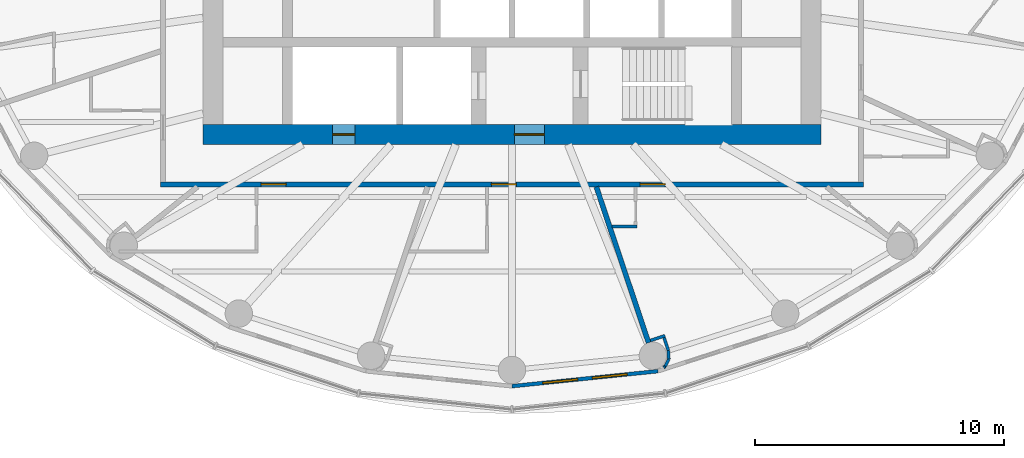
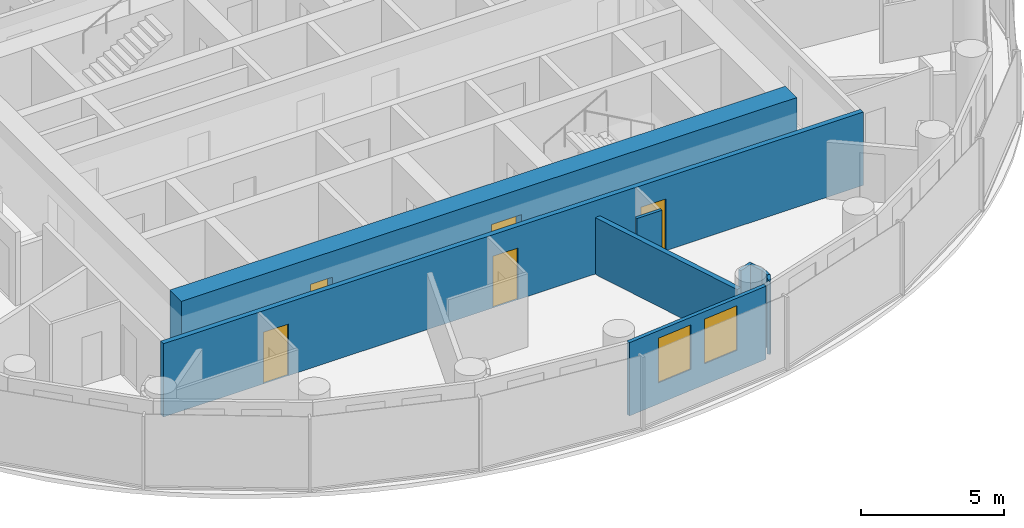
# One storey, part 7 of 16: 10 walls, 5 doors, 2 windows, 7 openings.
"""IFC4 building model written with IfcOpenShell, lengths in metres."""

from ifc_helpers import new_model, si_unit, direction, frame, frame_2d, origin, place, context, subcontext, project, spatial, rectangle, extrude, material, layer, layer_set, type_object, element, fill, save


model = new_model("IFC4")

# Units and contexts
model_context = context("Model", 3, precision=1e-05, world=origin(), true_north=direction((0.0, 1.0)))
body_context = subcontext(model_context, "Body", "Model", "MODEL_VIEW")
ifc_project = project(units=[si_unit("LENGTHUNIT", "METRE"), si_unit("AREAUNIT", "SQUARE_METRE"), si_unit("VOLUMEUNIT", "CUBIC_METRE"), si_unit("PLANEANGLEUNIT", "RADIAN"), si_unit("MASSUNIT", "GRAM", prefix="KILO")], contexts=[model_context])

# Site, building, storey
site_placement = place(None, origin())
site = spatial("IfcSite", under=ifc_project, at=site_placement, CompositionType="ELEMENT")
building_placement = place(site_placement, origin())
building = spatial("IfcBuilding", under=site, at=building_placement, Name="Hankou Lantern Tower", CompositionType="ELEMENT")
storey_placement = place(building_placement, frame((0.0, 0.0, 166.5)))
storey = spatial("IfcBuildingStorey", under=building, at=storey_placement, Name="L44", CompositionType="ELEMENT", Elevation=166.5)

# Wall, openings, doors
ifc_material_1 = material(Name="Concrete C60", Category="concrete")
ifc_layer_1 = layer(ifc_material_1, 0.800048828125)
ifc_layer_set_1 = layer_set([ifc_layer_1], Name="Concrete C60")
wall_type_1 = type_object("IfcWallType", Name="CW2 CORE WALL 800", PredefinedType="SHEAR", material=ifc_layer_set_1)
wall_1_placement = place(storey_placement, frame((12.39990234375, -8.0, 0.0), z_axis=(0.0, 0.0, 1.0), x_axis=(-1.0, 0.0, 0.0)))
wall_1 = element("IfcWall", 1, at=wall_1_placement, inside=storey, type_object=wall_type_1, Name="Core wall south L44", PredefinedType="SHEAR", context=body_context, shape_type="SweptSolid", body=[
    extrude(rectangle(XDim=24.7998046875, YDim=0.800048828125, at=frame_2d((12.39990234375, 0.0))), origin(), (0.0, 0.0, 1.0), 3.300048828125),
])
opening_1_placement = place(wall_1_placement, frame((11.10009765625, 0.0, 0.0)))
opening_1 = element("IfcOpeningElement", 2, at=opening_1_placement, cuts=wall_1, Name="Opening D5", PredefinedType="OPENING", context=body_context, shape_type="SweptSolid", body=[
    extrude(rectangle(XDim=1.199951171875, YDim=2.199951171875, at=frame_2d((0.60009765625, 1.10009765625))), frame((0.0, 0.409912109375, 0.0), z_axis=(0.0, -1.0, 0.0), x_axis=(1.0, 0.0, 0.0)), (0.0, 0.0, 1.0), 0.820068359375),
])
opening_2_placement = place(wall_1_placement, frame((18.699951171875, 0.0, 0.0)))
opening_2 = element("IfcOpeningElement", 3, at=opening_2_placement, cuts=wall_1, Name="Opening D7", PredefinedType="OPENING", context=body_context, shape_type="SweptSolid", body=[
    extrude(rectangle(XDim=0.89990234375, YDim=2.199951171875, at=frame_2d((0.449951171875, 1.10009765625))), frame((0.0, 0.409912109375, 0.0), z_axis=(0.0, -1.0, 0.0), x_axis=(1.0, 0.0, 0.0)), (0.0, 0.0, 1.0), 0.820068359375),
])
ifc_material_2 = material(Name="Steel door leaf", Category="steel")
door_type_1 = type_object("IfcDoorType", Name="D5 STAIR LOBBY DOOR 1200X2200", OperationType="SINGLE_SWING_LEFT", PredefinedType="DOOR", material=ifc_material_2)
door_1_placement = place(opening_1_placement, origin())
door_1 = element("IfcDoor", 4, at=door_1_placement, inside=storey, type_object=door_type_1, Name="Stair B lobby door", OperationType="SINGLE_SWING_LEFT", OverallHeight=2.199951171875, OverallWidth=1.199951171875, PredefinedType="DOOR", context=body_context, shape_type="SweptSolid", body=[
    extrude(rectangle(XDim=1.199951171875, YDim=2.199951171875, at=frame_2d((0.60009765625, 1.10009765625))), frame((0.0, 0.02490234375, 0.0), z_axis=(0.0, -1.0, 0.0), x_axis=(1.0, 0.0, 0.0)), (0.0, 0.0, 1.0), 0.050048828125),
])
fill(opening_1, door_1)
ifc_material_3 = material(Name="Steel door leaf", Category="steel")
door_type_2 = type_object("IfcDoorType", Name="D7 RISER DOOR 900X2200", OperationType="SINGLE_SWING_LEFT", PredefinedType="DOOR", material=ifc_material_3)
door_2_placement = place(opening_2_placement, origin())
door_2 = element("IfcDoor", 5, at=door_2_placement, inside=storey, type_object=door_type_2, Name="Riser S1 door", OperationType="SINGLE_SWING_RIGHT", OverallHeight=2.199951171875, OverallWidth=0.89990234375, PredefinedType="DOOR", context=body_context, shape_type="SweptSolid", body=[
    extrude(rectangle(XDim=0.89990234375, YDim=2.199951171875, at=frame_2d((0.449951171875, 1.10009765625))), frame((0.0, 0.02490234375, 0.0), z_axis=(0.0, -1.0, 0.0), x_axis=(1.0, 0.0, 0.0)), (0.0, 0.0, 1.0), 0.050048828125),
])
fill(opening_2, door_2)

# Wall, openings, windows
ifc_material_4 = material(Name="Aluminium spandrel panel on steel studs", Category="steel")
ifc_layer_2 = layer(ifc_material_4, 0.14990234375)
ifc_layer_set_2 = layer_set([ifc_layer_2], Name="Aluminium spandrel panel on steel studs")
wall_type_2 = type_object("IfcWallType", Name="EW1 INNER SKIN WALL 150", PredefinedType="ELEMENTEDWALL", material=ifc_layer_set_2)
wall_2_placement = place(storey_placement, frame((0.0, -18.10009765625, 0.0), z_axis=(0.0, 0.0, 1.0), x_axis=(0.994751738032, 0.102318032045, 0.0)))
wall_2 = element("IfcWall", 6, at=wall_2_placement, inside=storey, type_object=wall_type_2, Name="Inner skin R19-R20 L44", PredefinedType="ELEMENTEDWALL", context=body_context, shape_type="SweptSolid", body=[
    extrude(rectangle(XDim=5.891357421875, YDim=0.14990234375, at=frame_2d((2.94580078125, 0.0))), origin(), (0.0, 0.0, 1.0), 3.1201171875),
])
opening_3_placement = place(wall_2_placement, frame((1.24560546875, 0.0, 0.89990234375)))
opening_3 = element("IfcOpeningElement", 7, at=opening_3_placement, cuts=wall_2, Name="Opening W3", PredefinedType="OPENING", context=body_context, shape_type="SweptSolid", body=[
    extrude(rectangle(XDim=1.39990234375, YDim=1.89990234375, at=frame_2d((0.699951171875, 0.949951171875))), frame((0.0, 0.0849609375, 0.0), z_axis=(0.0, -1.0, 0.0), x_axis=(1.0, 0.0, 0.0)), (0.0, 0.0, 1.0), 0.169921875),
])
opening_4_placement = place(wall_2_placement, frame((3.24560546875, 0.0, 0.89990234375)))
opening_4 = element("IfcOpeningElement", 8, at=opening_4_placement, cuts=wall_2, Name="Opening W3", PredefinedType="OPENING", context=body_context, shape_type="SweptSolid", body=[
    extrude(rectangle(XDim=1.39990234375, YDim=1.89990234375, at=frame_2d((0.699951171875, 0.949951171875))), frame((0.0, 0.0849609375, 0.0), z_axis=(0.0, -1.0, 0.0), x_axis=(1.0, 0.0, 0.0)), (0.0, 0.0, 1.0), 0.169921875),
])
ifc_material_5 = material(Name="Aluminium framed double glazed window", Category="aluminium")
window_type = type_object("IfcWindowType", Name="W3 GUEST ROOM WINDOW 1400X1900", PartitioningType="DOUBLE_PANEL_VERTICAL", PredefinedType="WINDOW", material=ifc_material_5)
window_1_placement = place(opening_3_placement, origin())
window_1 = element("IfcWindow", 9, at=window_1_placement, inside=storey, type_object=window_type, Name="Window R19.1 L44", OverallHeight=1.89990234375, OverallWidth=1.39990234375, PartitioningType="SINGLE_PANEL", PredefinedType="WINDOW", context=body_context, shape_type="SweptSolid", body=[
    extrude(rectangle(XDim=1.39990234375, YDim=1.89990234375, at=frame_2d((0.699951171875, 0.949951171875))), frame((0.0, 0.030029296875, 0.0), z_axis=(0.0, -1.0, 0.0), x_axis=(1.0, 0.0, 0.0)), (0.0, 0.0, 1.0), 0.06005859375),
])
fill(opening_3, window_1)
window_2_placement = place(opening_4_placement, origin())
window_2 = element("IfcWindow", 10, at=window_2_placement, inside=storey, type_object=window_type, Name="Window R19.2 L44", OverallHeight=1.89990234375, OverallWidth=1.39990234375, PartitioningType="SINGLE_PANEL", PredefinedType="WINDOW", context=body_context, shape_type="SweptSolid", body=[
    extrude(rectangle(XDim=1.39990234375, YDim=1.89990234375, at=frame_2d((0.699951171875, 0.949951171875))), frame((0.0, 0.030029296875, 0.0), z_axis=(0.0, -1.0, 0.0), x_axis=(1.0, 0.0, 0.0)), (0.0, 0.0, 1.0), 0.06005859375),
])
fill(opening_4, window_2)

# Wall
ifc_material_6 = material(Name="Masonry lightweight concrete block", Category="masonry")
ifc_layer_3 = layer(ifc_material_6, 0.199951171875)
ifc_layer_set_3 = layer_set([ifc_layer_3], Name="Masonry lightweight concrete block")
wall_type_3 = type_object("IfcWallType", Name="IW1 GUEST ROOM PARTY WALL 200", PredefinedType="PARTITIONING", material=ifc_layer_set_3)
wall_3_placement = place(storey_placement, frame((3.3828125, -10.10009765625, 0.0), z_axis=(0.0, 0.0, 1.0), x_axis=(0.317615120474, -0.948219718866, 0.0)))
element("IfcWall", 11, at=wall_3_placement, inside=storey, type_object=wall_type_3, Name="Party wall R20", PredefinedType="PARTITIONING", context=body_context, shape_type="SweptSolid", body=[
    extrude(rectangle(XDim=6.597412109375, YDim=0.199951171875, at=frame_2d((3.298828125, 0.0))), origin(), (0.0, 0.0, 1.0), 2.419921875),
])

# Wall, openings, doors
ifc_material_7 = material(Name="Masonry lightweight concrete block", Category="masonry")
ifc_layer_4 = layer(ifc_material_7, 0.199951171875)
ifc_layer_set_4 = layer_set([ifc_layer_4], Name="Masonry lightweight concrete block")
wall_type_4 = type_object("IfcWallType", Name="IW2 CORRIDOR WALL 200", PredefinedType="PARTITIONING", material=ifc_layer_set_4)
wall_4_placement = place(storey_placement, frame((14.10009765625, -10.0, 0.0), z_axis=(0.0, 0.0, 1.0), x_axis=(-1.0, 0.0, 0.0)))
wall_4 = element("IfcWall", 12, at=wall_4_placement, inside=storey, type_object=wall_type_4, Name="Corridor wall south", PredefinedType="PARTITIONING", context=body_context, shape_type="SweptSolid", body=[
    extrude(rectangle(XDim=28.2001953125, YDim=0.199951171875, at=frame_2d((14.10009765625, 0.0))), origin(), (0.0, 0.0, 1.0), 3.1201171875),
])
opening_5_placement = place(wall_4_placement, frame((23.1650390625, 0.0, 0.0)))
opening_5 = element("IfcOpeningElement", 13, at=opening_5_placement, cuts=wall_4, Name="Opening D2", PredefinedType="OPENING", context=body_context, shape_type="SweptSolid", body=[
    extrude(rectangle(XDim=1.0, YDim=2.199951171875, at=frame_2d((0.5, 1.10009765625))), frame((0.0, 0.10986328125, 0.0), z_axis=(0.0, -1.0, 0.0), x_axis=(1.0, 0.0, 0.0)), (0.0, 0.0, 1.0), 0.219970703125),
])
opening_6_placement = place(wall_4_placement, frame((13.9228515625, 0.0, 0.0)))
opening_6 = element("IfcOpeningElement", 14, at=opening_6_placement, cuts=wall_4, Name="Opening D2", PredefinedType="OPENING", context=body_context, shape_type="SweptSolid", body=[
    extrude(rectangle(XDim=1.0, YDim=2.199951171875, at=frame_2d((0.5, 1.10009765625))), frame((0.0, 0.10986328125, 0.0), z_axis=(0.0, -1.0, 0.0), x_axis=(1.0, 0.0, 0.0)), (0.0, 0.0, 1.0), 0.219970703125),
])
opening_7_placement = place(wall_4_placement, frame((7.95703125, 0.0, 0.0)))
opening_7 = element("IfcOpeningElement", 15, at=opening_7_placement, cuts=wall_4, Name="Opening D2", PredefinedType="OPENING", context=body_context, shape_type="SweptSolid", body=[
    extrude(rectangle(XDim=1.0, YDim=2.199951171875, at=frame_2d((0.5, 1.10009765625))), frame((0.0, 0.10986328125, 0.0), z_axis=(0.0, -1.0, 0.0), x_axis=(1.0, 0.0, 0.0)), (0.0, 0.0, 1.0), 0.219970703125),
])
ifc_material_8 = material(Name="Steel door leaf", Category="steel")
door_type_3 = type_object("IfcDoorType", Name="D2 SUITE DOOR 1000X2200", OperationType="SINGLE_SWING_LEFT", PredefinedType="DOOR", material=ifc_material_8)
door_3_placement = place(opening_5_placement, origin())
door_3 = element("IfcDoor", 16, at=door_3_placement, inside=storey, type_object=door_type_3, Name="Suite door 4401", OperationType="SINGLE_SWING_RIGHT", OverallHeight=2.199951171875, OverallWidth=1.0, PredefinedType="DOOR", context=body_context, shape_type="SweptSolid", body=[
    extrude(rectangle(XDim=1.0, YDim=2.199951171875, at=frame_2d((0.5, 1.10009765625))), frame((0.0, 0.02490234375, 0.0), z_axis=(0.0, -1.0, 0.0), x_axis=(1.0, 0.0, 0.0)), (0.0, 0.0, 1.0), 0.050048828125),
])
fill(opening_5, door_3)
door_4_placement = place(opening_6_placement, origin())
door_4 = element("IfcDoor", 17, at=door_4_placement, inside=storey, type_object=door_type_3, Name="Suite door 4402", OperationType="SINGLE_SWING_RIGHT", OverallHeight=2.199951171875, OverallWidth=1.0, PredefinedType="DOOR", context=body_context, shape_type="SweptSolid", body=[
    extrude(rectangle(XDim=1.0, YDim=2.199951171875, at=frame_2d((0.5, 1.10009765625))), frame((0.0, 0.02490234375, 0.0), z_axis=(0.0, -1.0, 0.0), x_axis=(1.0, 0.0, 0.0)), (0.0, 0.0, 1.0), 0.050048828125),
])
fill(opening_6, door_4)
door_5_placement = place(opening_7_placement, origin())
door_5 = element("IfcDoor", 18, at=door_5_placement, inside=storey, type_object=door_type_3, Name="Suite door 4403C", OperationType="SINGLE_SWING_RIGHT", OverallHeight=2.199951171875, OverallWidth=1.0, PredefinedType="DOOR", context=body_context, shape_type="SweptSolid", body=[
    extrude(rectangle(XDim=1.0, YDim=2.199951171875, at=frame_2d((0.5, 1.10009765625))), frame((0.0, 0.02490234375, 0.0), z_axis=(0.0, -1.0, 0.0), x_axis=(1.0, 0.0, 0.0)), (0.0, 0.0, 1.0), 0.050048828125),
])
fill(opening_7, door_5)

# Walls
ifc_material_9 = material(Name="Masonry lightweight concrete block", Category="masonry")
ifc_layer_5 = layer(ifc_material_9, 0.1201171875)
ifc_layer_set_5 = layer_set([ifc_layer_5], Name="Masonry lightweight concrete block")
wall_type_5 = type_object("IfcWallType", Name="IW3 BATHROOM WALL 120", PredefinedType="PARTITIONING", material=ifc_layer_set_5)
wall_5_placement = place(storey_placement, frame((4.018798828125, -11.699951171875, 0.0), z_axis=(0.0, 0.0, 1.0), x_axis=(1.0, 0.0, 0.0)))
element("IfcWall", 19, at=wall_5_placement, inside=storey, type_object=wall_type_5, Name="Box wall 4403C 1", PredefinedType="PARTITIONING", context=body_context, shape_type="SweptSolid", body=[
    extrude(rectangle(XDim=1.004150390625, YDim=0.1201171875, at=frame_2d((0.501953125, 0.0))), origin(), (0.0, 0.0, 1.0), 3.1201171875),
])
ifc_material_10 = material(Name="Masonry lightweight concrete block", Category="masonry")
ifc_layer_6 = layer(ifc_material_10, 0.1201171875)
ifc_layer_set_6 = layer_set([ifc_layer_6], Name="Masonry lightweight concrete block")
wall_type_6 = type_object("IfcWallType", Name="IW4 PARTITION 120", PredefinedType="PARTITIONING", material=ifc_layer_set_6)
wall_6_placement = place(storey_placement, frame((5.553955078125, -16.267333984375, 0.0), z_axis=(0.0, 0.0, 1.0), x_axis=(0.948163683492, 0.317782361541, 0.0)))
element("IfcWall", 20, at=wall_6_placement, inside=storey, type_object=wall_type_6, Name="Column casing R20 return", PredefinedType="PARTITIONING", context=body_context, shape_type="SweptSolid", body=[
    extrude(rectangle(XDim=0.6123046875, YDim=0.1201171875, at=frame_2d((0.30615234375, 0.0))), origin(), (0.0, 0.0, 1.0), 3.1201171875),
])
wall_7_placement = place(storey_placement, frame((6.0966796875, -16.148681640625, 0.0), z_axis=(0.0, 0.0, 1.0), x_axis=(0.317292604854, -0.948327687514, 0.0)))
element("IfcWall", 21, at=wall_7_placement, inside=storey, type_object=wall_type_6, Name="Column casing R20", PredefinedType="PARTITIONING", context=body_context, shape_type="SweptSolid", body=[
    extrude(rectangle(XDim=0.550048828125, YDim=0.1201171875, at=frame_2d((0.27490234375, 0.0))), origin(), (0.0, 0.0, 1.0), 3.1201171875),
])
for number, where, z_axis, x_axis, name in (
    (22, (6.271240234375, -16.67041015625, 0.0), (0.0, 0.0, 1.0), (0.061477694849, -0.998108457552, 0.0), "Column casing R20"),
    (23, (6.2919921875, -17.00732421875, 0.0), (0.0, 0.0, 1.0), (-0.445477128334, -0.895293319606, 0.0), "Column casing R20"),
):
    element("IfcWall", number, at=place(storey_placement, frame(where, z_axis=z_axis, x_axis=x_axis)), inside=storey, type_object=wall_type_6, Name=name, PredefinedType="PARTITIONING", context=body_context, shape_type="SweptSolid", body=[
        extrude(rectangle(XDim=0.337646484375, YDim=0.1201171875, at=frame_2d((0.1689453125, 0.0))), origin(), (0.0, 0.0, 1.0), 3.1201171875),
    ])
wall_8_placement = place(storey_placement, frame((6.1416015625, -17.3095703125, 0.0), z_axis=(0.0, 0.0, 1.0), x_axis=(-0.835039693181, -0.550189704386, 0.0)))
element("IfcWall", 24, at=wall_8_placement, inside=storey, type_object=wall_type_6, Name="Column casing R20", PredefinedType="PARTITIONING", context=body_context, shape_type="SweptSolid", body=[
    extrude(rectangle(XDim=0.0625, YDim=0.1201171875, at=frame_2d((0.03125, 0.0))), origin(), (0.0, 0.0, 1.0), 3.1201171875),
])

save(model, "model.ifc")
